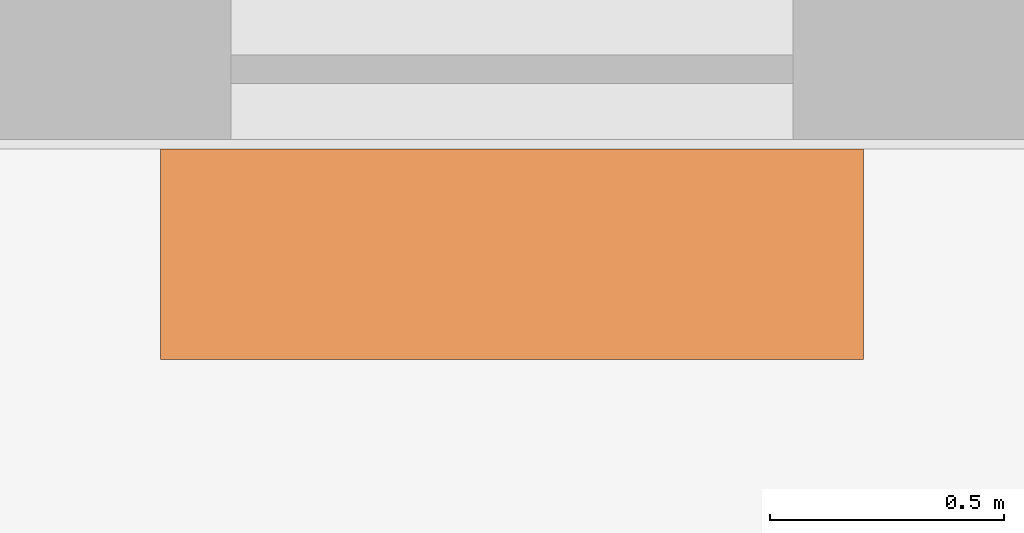
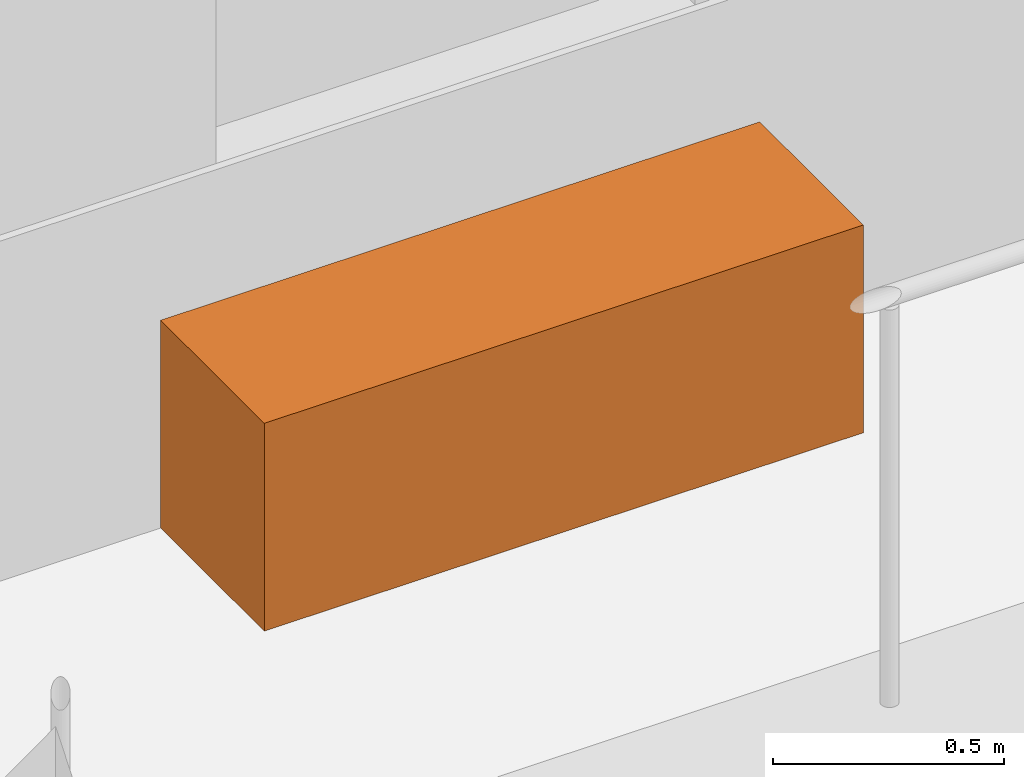
# One storey, part 12 of 12: 1 proxy.
"""IFC4 building model written with IfcOpenShell, lengths in metres."""

from ifc_helpers import new_model, si_unit, direction, frame, origin, origin_2d, place, context, subcontext, project, spatial, rectangle, extrude, element, save


model = new_model("IFC4")

# Units and contexts
model_context = context("Model", 3, precision=1e-05, world=origin(), true_north=direction((0.0, 1.0)))
body_context = subcontext(model_context, "Body", "Model", "MODEL_VIEW")
ifc_project = project(units=[si_unit("LENGTHUNIT", "METRE"), si_unit("AREAUNIT", "SQUARE_METRE"), si_unit("VOLUMEUNIT", "CUBIC_METRE"), si_unit("PLANEANGLEUNIT", "RADIAN"), si_unit("MASSUNIT", "GRAM", prefix="KILO")], contexts=[model_context])

# Site, building, storey
site_placement = place(None, origin())
site = spatial("IfcSite", under=ifc_project, at=site_placement, CompositionType="ELEMENT")
building_placement = place(site_placement, origin())
building = spatial("IfcBuilding", under=site, at=building_placement, Name="Candeia Pilgrim Tower and Theatre", CompositionType="ELEMENT")
storey_placement = place(building_placement, frame((0.0, 0.0, 184.800048828125)))
storey = spatial("IfcBuildingStorey", under=building, at=storey_placement, Name="L44", CompositionType="ELEMENT", Elevation=184.800048828125)

# Proxy
proxy_placement = place(storey_placement, frame((102.89990234375, 99.2548828125, 0.0), z_axis=(0.0, 0.0, 1.0), x_axis=(1.0, 0.0, 0.0)))
element("IfcBuildingElementProxy", 1, at=proxy_placement, inside=storey, Name="Planter", ObjectType="PLANTER", PredefinedType="USERDEFINED", context=body_context, shape_type="SweptSolid", body=[
    extrude(rectangle(XDim=1.5, YDim=0.449951171875, at=origin_2d()), origin(), (0.0, 0.0, 1.0), 0.550048828125),
])

save(model, "model.ifc")
